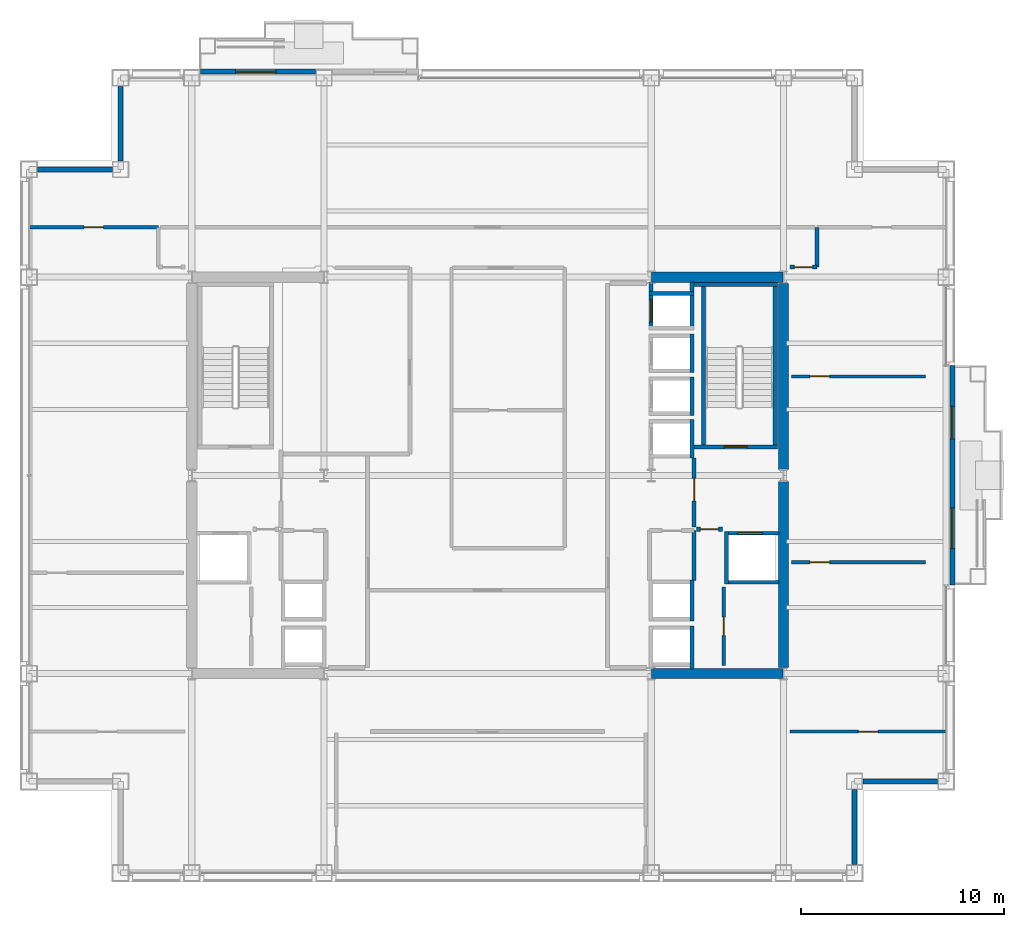
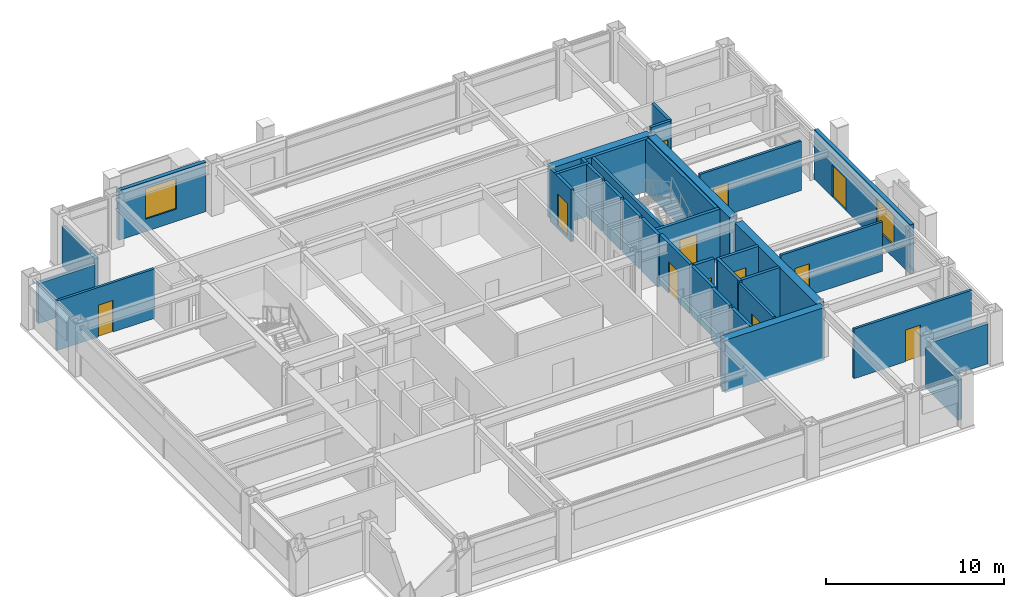
# One storey, part 26 of 29: 35 walls, 12 doors, 2 windows, 14 openings.
"""IFC4 building model written with IfcOpenShell, lengths in metres."""

from ifc_helpers import new_model, si_unit, direction, frame, frame_2d, origin, place, context, subcontext, project, spatial, rectangle, extrude, material, layer, layer_set, type_object, element, fill, save


model = new_model("IFC4")

# Units and contexts
model_context = context("Model", 3, precision=1e-05, world=origin(), true_north=direction((0.0, 1.0)))
body_context = subcontext(model_context, "Body", "Model", "MODEL_VIEW")
ifc_project = project(units=[si_unit("LENGTHUNIT", "METRE"), si_unit("AREAUNIT", "SQUARE_METRE"), si_unit("VOLUMEUNIT", "CUBIC_METRE"), si_unit("PLANEANGLEUNIT", "RADIAN"), si_unit("MASSUNIT", "GRAM", prefix="KILO")], contexts=[model_context])

# Site, building, storey
site_placement = place(None, origin())
site = spatial("IfcSite", under=ifc_project, at=site_placement, CompositionType="ELEMENT")
building_placement = place(site_placement, origin())
building = spatial("IfcBuilding", under=site, at=building_placement, Name="Brelmoor Portico Tower", CompositionType="ELEMENT")
storey_placement = place(building_placement, frame((0.0, 0.0, 124.199951171875)))
storey = spatial("IfcBuildingStorey", under=building, at=storey_placement, Name="L32", CompositionType="ELEMENT", Elevation=124.199951171875)

# Walls
ifc_material_1 = material(Name="Concrete C60", Category="concrete")
ifc_layer_1 = layer(ifc_material_1, 0.5)
ifc_layer_set_1 = layer_set([ifc_layer_1], Name="Concrete C60")
wall_type_1 = type_object("IfcWallType", Name="WL-CORE-500", PredefinedType="SHEAR", material=ifc_layer_set_1)
for number, where, z_axis, x_axis, name in (
    (1, (8.070068359375, -9.75, -0.199951171875), (0.0, 0.0, 1.0), (1.0, 0.0, 0.0), "L32 EC South Shear Wall"),
    (2, (8.070068359375, 9.75, -0.199951171875), (0.0, 0.0, 1.0), (1.0, 0.0, 0.0), "L32 EC North Shear Wall"),
):
    element("IfcWall", number, at=place(storey_placement, frame(where, z_axis=z_axis, x_axis=x_axis)), inside=storey, type_object=wall_type_1, Name=name, PredefinedType="SHEAR", context=body_context, shape_type="SweptSolid", body=[
        extrude(rectangle(XDim=6.4599609375, YDim=0.5, at=frame_2d((3.22998046875, 0.0))), origin(), (0.0, 0.0, 1.0), 3.60009765625),
    ])
for number, where, z_axis, x_axis, name in (
    (3, (14.550048828125, -9.449951171875, -0.199951171875), (0.0, 0.0, 1.0), (0.0, 1.0, 0.0), "L32 EC Outer South Shear Wall"),
    (4, (14.550048828125, 0.300048828125, -0.199951171875), (0.0, 0.0, 1.0), (0.0, 1.0, 0.0), "L32 EC Outer North Shear Wall"),
):
    element("IfcWall", number, at=place(storey_placement, frame(where, z_axis=z_axis, x_axis=x_axis)), inside=storey, type_object=wall_type_1, Name=name, PredefinedType="SHEAR", context=body_context, shape_type="SweptSolid", body=[
        extrude(rectangle(XDim=9.14990234375, YDim=0.5, at=frame_2d((4.574951171875, 0.0))), origin(), (0.0, 0.0, 1.0), 3.60009765625),
    ])

# Wall, opening, window
ifc_material_2 = material(Name="Precast Concrete C40 Insulated Facade Wall", Category="concrete")
ifc_layer_2 = layer(ifc_material_2, 0.25)
ifc_layer_set_2 = layer_set([ifc_layer_2], Name="Precast Concrete C40 Insulated Facade Wall")
wall_type_2 = type_object("IfcWallType", Name="WL-EXT-250", PredefinedType="STANDARD", material=ifc_layer_set_2)
wall_1_placement = place(storey_placement, frame((-14.1298828125, 19.860107421875, 0.0), z_axis=(0.0, 0.0, 1.0), x_axis=(1.0, 0.0, 0.0)))
wall_1 = element("IfcWall", 5, at=wall_1_placement, inside=storey, type_object=wall_type_2, Name="L32 Loggia Threshold Wall N-1", PredefinedType="STANDARD", context=body_context, shape_type="SweptSolid", body=[
    extrude(rectangle(XDim=5.659912109375, YDim=0.25, at=frame_2d((2.830078125, 0.0))), origin(), (0.0, 0.0, 1.0), 3.400146484375),
])
opening_1_placement = place(wall_1_placement, frame((1.72998046875, 0.0, 0.85009765625)))
opening_1 = element("IfcOpeningElement", 6, at=opening_1_placement, cuts=wall_1, Name="Opening W-03", PredefinedType="OPENING", context=body_context, shape_type="SweptSolid", body=[
    extrude(rectangle(XDim=2.0, YDim=2.10009765625, at=frame_2d((1.0, 1.050048828125))), frame((0.0, 0.135009765625, 0.0), z_axis=(0.0, -1.0, 0.0), x_axis=(1.0, 0.0, 0.0)), (0.0, 0.0, 1.0), 0.27001953125),
])
ifc_material_3 = material(Name="Thermally Broken Aluminium Low-E Window", Category="aluminium")
window_type = type_object("IfcWindowType", Name="WN-LOGGIA-2000x2100", PartitioningType="SINGLE_PANEL", PredefinedType="WINDOW", material=ifc_material_3)
window_1_placement = place(opening_1_placement, origin())
window_1 = element("IfcWindow", 7, at=window_1_placement, inside=storey, type_object=window_type, Name="L32 Loggia Window N", OverallHeight=2.10009765625, OverallWidth=2.0, PartitioningType="SINGLE_PANEL", PredefinedType="WINDOW", context=body_context, shape_type="SweptSolid", body=[
    extrude(rectangle(XDim=2.0, YDim=2.10009765625, at=frame_2d((1.0, 1.050048828125))), frame((0.0, 0.030029296875, 0.0), z_axis=(0.0, -1.0, 0.0), x_axis=(1.0, 0.0, 0.0)), (0.0, 0.0, 1.0), 0.06005859375),
])
fill(opening_1, window_1)

# Wall, openings, door, window
wall_2_placement = place(storey_placement, frame((22.860107421875, -5.39990234375, 0.0), z_axis=(0.0, 0.0, 1.0), x_axis=(0.0, 1.0, 0.0)))
wall_2 = element("IfcWall", 8, at=wall_2_placement, inside=storey, type_object=wall_type_2, Name="L32 Loggia Threshold Wall E-1", PredefinedType="STANDARD", context=body_context, shape_type="SweptSolid", body=[
    extrude(rectangle(XDim=10.7998046875, YDim=0.25, at=frame_2d((5.39990234375, 0.0))), origin(), (0.0, 0.0, 1.0), 3.400146484375),
])
opening_2_placement = place(wall_2_placement, frame((7.199951171875, 0.0, 0.0)))
opening_2 = element("IfcOpeningElement", 9, at=opening_2_placement, cuts=wall_2, Name="Opening D-TB1", PredefinedType="OPENING", context=body_context, shape_type="SweptSolid", body=[
    extrude(rectangle(XDim=1.60009765625, YDim=2.199951171875, at=frame_2d((0.800048828125, 1.10009765625))), frame((0.0, 0.135009765625, 0.0), z_axis=(0.0, -1.0, 0.0), x_axis=(1.0, 0.0, 0.0)), (0.0, 0.0, 1.0), 0.27001953125),
])
opening_3_placement = place(wall_2_placement, frame((1.800048828125, 0.0, 0.85009765625)))
opening_3 = element("IfcOpeningElement", 10, at=opening_3_placement, cuts=wall_2, Name="Opening W-03", PredefinedType="OPENING", context=body_context, shape_type="SweptSolid", body=[
    extrude(rectangle(XDim=2.0, YDim=2.10009765625, at=frame_2d((1.0, 1.050048828125))), frame((0.0, 0.135009765625, 0.0), z_axis=(0.0, -1.0, 0.0), x_axis=(1.0, 0.0, 0.0)), (0.0, 0.0, 1.0), 0.27001953125),
])
ifc_material_4 = material(Name="Double-Leaf Thermally Broken Terrace Door", Category="aluminium")
door_type_1 = type_object("IfcDoorType", Name="DR-BALCONY-1600", OperationType="NOTDEFINED", PredefinedType="DOOR", material=ifc_material_4)
door_1_placement = place(opening_2_placement, origin())
door_1 = element("IfcDoor", 11, at=door_1_placement, inside=storey, type_object=door_type_1, Name="D-1420 L32 Tree Balcony Double Door E", OperationType="DOUBLE_DOOR_SINGLE_SWING", OverallHeight=2.199951171875, OverallWidth=1.60009765625, PredefinedType="DOOR", context=body_context, shape_type="SweptSolid", body=[
    extrude(rectangle(XDim=1.60009765625, YDim=2.199951171875, at=frame_2d((0.800048828125, 1.10009765625))), frame((0.0, 0.02490234375, 0.0), z_axis=(0.0, -1.0, 0.0), x_axis=(1.0, 0.0, 0.0)), (0.0, 0.0, 1.0), 0.050048828125),
])
fill(opening_2, door_1)
window_2_placement = place(opening_3_placement, origin())
window_2 = element("IfcWindow", 12, at=window_2_placement, inside=storey, type_object=window_type, Name="L32 Loggia Window E", OverallHeight=2.10009765625, OverallWidth=2.0, PartitioningType="SINGLE_PANEL", PredefinedType="WINDOW", context=body_context, shape_type="SweptSolid", body=[
    extrude(rectangle(XDim=2.0, YDim=2.10009765625, at=frame_2d((1.0, 1.050048828125))), frame((0.0, 0.030029296875, 0.0), z_axis=(0.0, -1.0, 0.0), x_axis=(1.0, 0.0, 0.0)), (0.0, 0.0, 1.0), 0.06005859375),
])
fill(opening_3, window_2)

# Walls
for number, where, z_axis, x_axis, name in (
    (13, (18.4599609375, -15.050048828125, 0.0), (0.0, 0.0, 1.0), (1.0, 0.0, 0.0), "L32 Corner Notch Facade Wall NSEH1"),
    (14, (18.050048828125, -19.139892578125, 0.0), (0.0, 0.0, 1.0), (0.0, 1.0, 0.0), "L32 Corner Notch Facade Wall NSEV1"),
    (15, (-22.139892578125, 15.050048828125, 0.0), (0.0, 0.0, 1.0), (1.0, 0.0, 0.0), "L32 Corner Notch Facade Wall NNWH1"),
    (16, (-18.050048828125, 15.4599609375, 0.0), (0.0, 0.0, 1.0), (0.0, 1.0, 0.0), "L32 Corner Notch Facade Wall NNWV1"),
):
    element("IfcWall", number, at=place(storey_placement, frame(where, z_axis=z_axis, x_axis=x_axis)), inside=storey, type_object=wall_type_2, Name=name, PredefinedType="STANDARD", context=body_context, shape_type="SweptSolid", body=[
        extrude(rectangle(XDim=3.679931640625, YDim=0.25, at=frame_2d((1.83984375, 0.0))), origin(), (0.0, 0.0, 1.0), 2.75),
    ])

# Wall, opening, door
ifc_material_5 = material(Name="Twin-Frame Acoustic Partition", Category="gypsum")
ifc_layer_3 = layer(ifc_material_5, 0.159912109375)
ifc_layer_set_3 = layer_set([ifc_layer_3], Name="Twin-Frame Acoustic Partition")
wall_type_3 = type_object("IfcWallType", Name="WL-PART-160", PredefinedType="PARTITIONING", material=ifc_layer_set_3)
wall_3_placement = place(storey_placement, frame((11.6201171875, -9.35009765625, 0.0), z_axis=(0.0, 0.0, 1.0), x_axis=(0.0, 1.0, 0.0)))
wall_3 = element("IfcWall", 17, at=wall_3_placement, inside=storey, type_object=wall_type_3, Name="L32 E Core Service Front Wall", PredefinedType="PARTITIONING", context=body_context, shape_type="SweptSolid", body=[
    extrude(rectangle(XDim=3.85009765625, YDim=0.159912109375, at=frame_2d((1.925048828125, 0.0))), origin(), (0.0, 0.0, 1.0), 3.400146484375),
])
opening_4_placement = place(wall_3_placement, frame((1.47509765625, 0.0, 0.0)))
opening_4 = element("IfcOpeningElement", 18, at=opening_4_placement, cuts=wall_3, Name="Opening D-IN1", PredefinedType="OPENING", context=body_context, shape_type="SweptSolid", body=[
    extrude(rectangle(XDim=0.89990234375, YDim=2.14990234375, at=frame_2d((0.449951171875, 1.074951171875))), frame((0.0, 0.08984375, 0.0), z_axis=(0.0, -1.0, 0.0), x_axis=(1.0, 0.0, 0.0)), (0.0, 0.0, 1.0), 0.179931640625),
])
ifc_material_6 = material(Name="Lacquered Timber Suite Door", Category="wood")
door_type_2 = type_object("IfcDoorType", Name="DR-INT-900", OperationType="NOTDEFINED", PredefinedType="DOOR", material=ifc_material_6)
door_2_placement = place(opening_4_placement, origin())
door_2 = element("IfcDoor", 19, at=door_2_placement, inside=storey, type_object=door_type_2, Name="D-1399 L32 E Male WC Door", OperationType="SINGLE_SWING_LEFT", OverallHeight=2.14990234375, OverallWidth=0.89990234375, PredefinedType="DOOR", context=body_context, shape_type="SweptSolid", body=[
    extrude(rectangle(XDim=0.89990234375, YDim=2.14990234375, at=frame_2d((0.449951171875, 1.074951171875))), frame((0.0, 0.02490234375, 0.0), z_axis=(0.0, -1.0, 0.0), x_axis=(1.0, 0.0, 0.0)), (0.0, 0.0, 1.0), 0.050048828125),
])
fill(opening_4, door_2)

wall_4_placement = place(storey_placement, frame((-22.56005859375, 12.199951171875, 0.0), z_axis=(0.0, 0.0, 1.0), x_axis=(1.0, 0.0, 0.0)))
wall_4 = element("IfcWall", 20, at=wall_4_placement, inside=storey, type_object=wall_type_3, Name="L32 North Wing Closure WL", PredefinedType="PARTITIONING", context=body_context, shape_type="SweptSolid", body=[
    extrude(rectangle(XDim=6.360107421875, YDim=0.159912109375, at=frame_2d((3.18017578125, 0.0))), origin(), (0.0, 0.0, 1.0), 3.400146484375),
])
opening_5_placement = place(wall_4_placement, frame((2.699951171875, 0.0, 0.0)))
opening_5 = element("IfcOpeningElement", 21, at=opening_5_placement, cuts=wall_4, Name="Opening D-IN2", PredefinedType="OPENING", context=body_context, shape_type="SweptSolid", body=[
    extrude(rectangle(XDim=0.9599609375, YDim=2.179931640625, at=frame_2d((0.47998046875, 1.08984375))), frame((0.0, 0.08984375, 0.0), z_axis=(0.0, -1.0, 0.0), x_axis=(1.0, 0.0, 0.0)), (0.0, 0.0, 1.0), 0.179931640625),
])
door_type_3 = type_object("IfcDoorType", Name="DR-INT-950", OperationType="NOTDEFINED", PredefinedType="DOOR", material=ifc_material_6)
door_3_placement = place(opening_5_placement, origin())
door_3 = element("IfcDoor", 22, at=door_3_placement, inside=storey, type_object=door_type_3, Name="D-1411 L32 WL Wing North Suite Door", OperationType="SINGLE_SWING_RIGHT", OverallHeight=2.179931640625, OverallWidth=0.9599609375, PredefinedType="DOOR", context=body_context, shape_type="SweptSolid", body=[
    extrude(rectangle(XDim=0.9599609375, YDim=2.179931640625, at=frame_2d((0.47998046875, 1.08984375))), frame((0.0, 0.02490234375, 0.0), z_axis=(0.0, -1.0, 0.0), x_axis=(1.0, 0.0, 0.0)), (0.0, 0.0, 1.0), 0.050048828125),
])
fill(opening_5, door_3)

wall_5_placement = place(storey_placement, frame((14.8798828125, -12.60009765625, 0.0), z_axis=(0.0, 0.0, 1.0), x_axis=(1.0, 0.0, 0.0)))
wall_5 = element("IfcWall", 23, at=wall_5_placement, inside=storey, type_object=wall_type_3, Name="L32 South Wing Closure ER", PredefinedType="PARTITIONING", context=body_context, shape_type="SweptSolid", body=[
    extrude(rectangle(XDim=7.68017578125, YDim=0.159912109375, at=frame_2d((3.840087890625, 0.0))), origin(), (0.0, 0.0, 1.0), 3.400146484375),
])
opening_6_placement = place(wall_5_placement, frame((3.360107421875, 0.0, 0.0)))
opening_6 = element("IfcOpeningElement", 24, at=opening_6_placement, cuts=wall_5, Name="Opening D-IN2", PredefinedType="OPENING", context=body_context, shape_type="SweptSolid", body=[
    extrude(rectangle(XDim=0.9599609375, YDim=2.179931640625, at=frame_2d((0.47998046875, 1.08984375))), frame((0.0, 0.08984375, 0.0), z_axis=(0.0, -1.0, 0.0), x_axis=(1.0, 0.0, 0.0)), (0.0, 0.0, 1.0), 0.179931640625),
])
door_4_placement = place(opening_6_placement, origin())
door_4 = element("IfcDoor", 25, at=door_4_placement, inside=storey, type_object=door_type_3, Name="D-1418 L32 ER Wing South Suite Door", OperationType="SINGLE_SWING_RIGHT", OverallHeight=2.179931640625, OverallWidth=0.9599609375, PredefinedType="DOOR", context=body_context, shape_type="SweptSolid", body=[
    extrude(rectangle(XDim=0.9599609375, YDim=2.179931640625, at=frame_2d((0.47998046875, 1.08984375))), frame((0.0, 0.02490234375, 0.0), z_axis=(0.0, -1.0, 0.0), x_axis=(1.0, 0.0, 0.0)), (0.0, 0.0, 1.0), 0.050048828125),
])
fill(opening_6, door_4)

wall_6_placement = place(storey_placement, frame((14.9599609375, -4.27001953125, 0.0), z_axis=(0.0, 0.0, 1.0), x_axis=(1.0, 0.0, 0.0)))
wall_6 = element("IfcWall", 26, at=wall_6_placement, inside=storey, type_object=wall_type_3, Name="L32 E Wing Partition 1", PredefinedType="PARTITIONING", context=body_context, shape_type="SweptSolid", body=[
    extrude(rectangle(XDim=6.590087890625, YDim=0.159912109375, at=frame_2d((3.294921875, 0.0))), origin(), (0.0, 0.0, 1.0), 3.400146484375),
])
opening_7_placement = place(wall_6_placement, frame((0.89990234375, 0.0, 0.0)))
opening_7 = element("IfcOpeningElement", 27, at=opening_7_placement, cuts=wall_6, Name="Opening D-IN2", PredefinedType="OPENING", context=body_context, shape_type="SweptSolid", body=[
    extrude(rectangle(XDim=0.9599609375, YDim=2.179931640625, at=frame_2d((0.47998046875, 1.08984375))), frame((0.0, 0.08984375, 0.0), z_axis=(0.0, -1.0, 0.0), x_axis=(1.0, 0.0, 0.0)), (0.0, 0.0, 1.0), 0.179931640625),
])
door_5_placement = place(opening_7_placement, origin())
door_5 = element("IfcDoor", 28, at=door_5_placement, inside=storey, type_object=door_type_3, Name="D-1422 L32 E Wing Suite Connecting Door 1", OperationType="SINGLE_SWING_RIGHT", OverallHeight=2.179931640625, OverallWidth=0.9599609375, PredefinedType="DOOR", context=body_context, shape_type="SweptSolid", body=[
    extrude(rectangle(XDim=0.9599609375, YDim=2.179931640625, at=frame_2d((0.47998046875, 1.08984375))), frame((0.0, 0.02490234375, 0.0), z_axis=(0.0, -1.0, 0.0), x_axis=(1.0, 0.0, 0.0)), (0.0, 0.0, 1.0), 0.050048828125),
])
fill(opening_7, door_5)

wall_7_placement = place(storey_placement, frame((14.9599609375, 4.8701171875, 0.0), z_axis=(0.0, 0.0, 1.0), x_axis=(1.0, 0.0, 0.0)))
wall_7 = element("IfcWall", 29, at=wall_7_placement, inside=storey, type_object=wall_type_3, Name="L32 E Wing Partition 2", PredefinedType="PARTITIONING", context=body_context, shape_type="SweptSolid", body=[
    extrude(rectangle(XDim=6.590087890625, YDim=0.159912109375, at=frame_2d((3.294921875, 0.0))), origin(), (0.0, 0.0, 1.0), 3.400146484375),
])
opening_8_placement = place(wall_7_placement, frame((0.89990234375, 0.0, 0.0)))
opening_8 = element("IfcOpeningElement", 30, at=opening_8_placement, cuts=wall_7, Name="Opening D-IN2", PredefinedType="OPENING", context=body_context, shape_type="SweptSolid", body=[
    extrude(rectangle(XDim=0.9599609375, YDim=2.179931640625, at=frame_2d((0.47998046875, 1.08984375))), frame((0.0, 0.08984375, 0.0), z_axis=(0.0, -1.0, 0.0), x_axis=(1.0, 0.0, 0.0)), (0.0, 0.0, 1.0), 0.179931640625),
])
door_6_placement = place(opening_8_placement, origin())
door_6 = element("IfcDoor", 31, at=door_6_placement, inside=storey, type_object=door_type_3, Name="D-1423 L32 E Wing Suite Connecting Door 2", OperationType="SINGLE_SWING_LEFT", OverallHeight=2.179931640625, OverallWidth=0.9599609375, PredefinedType="DOOR", context=body_context, shape_type="SweptSolid", body=[
    extrude(rectangle(XDim=0.9599609375, YDim=2.179931640625, at=frame_2d((0.47998046875, 1.08984375))), frame((0.0, 0.02490234375, 0.0), z_axis=(0.0, -1.0, 0.0), x_axis=(1.0, 0.0, 0.0)), (0.0, 0.0, 1.0), 0.050048828125),
])
fill(opening_8, door_6)

ifc_material_7 = material(Name="Acoustic Corridor Fire Partition", Category="gypsum")
ifc_layer_4 = layer(ifc_material_7, 0.179931640625)
ifc_layer_set_4 = layer_set([ifc_layer_4], Name="Acoustic Corridor Fire Partition")
wall_type_4 = type_object("IfcWallType", Name="WL-PART-180", PredefinedType="PARTITIONING", material=ifc_layer_set_4)
wall_8_placement = place(storey_placement, frame((14.8798828125, 10.25, 0.0), z_axis=(0.0, 0.0, 1.0), x_axis=(1.0, 0.0, 0.0)))
wall_8 = element("IfcWall", 32, at=wall_8_placement, inside=storey, type_object=wall_type_4, Name="L32 E Wing North Entry Wall", PredefinedType="PARTITIONING", context=body_context, shape_type="SweptSolid", body=[
    extrude(rectangle(XDim=1.320068359375, YDim=0.179931640625, at=frame_2d((0.66015625, 0.0))), origin(), (0.0, 0.0, 1.0), 3.400146484375),
])
opening_9_placement = place(wall_8_placement, frame((0.2099609375, 0.0, 0.0)))
opening_9 = element("IfcOpeningElement", 33, at=opening_9_placement, cuts=wall_8, Name="Opening D-IN1", PredefinedType="OPENING", context=body_context, shape_type="SweptSolid", body=[
    extrude(rectangle(XDim=0.89990234375, YDim=2.14990234375, at=frame_2d((0.449951171875, 1.074951171875))), frame((0.0, 0.099853515625, 0.0), z_axis=(0.0, -1.0, 0.0), x_axis=(1.0, 0.0, 0.0)), (0.0, 0.0, 1.0), 0.199951171875),
])
door_7_placement = place(opening_9_placement, origin())
door_7 = element("IfcDoor", 34, at=door_7_placement, inside=storey, type_object=door_type_2, Name="D-1424 L32 E Wing Entry Door", OperationType="SINGLE_SWING_LEFT", OverallHeight=2.14990234375, OverallWidth=0.89990234375, PredefinedType="DOOR", context=body_context, shape_type="SweptSolid", body=[
    extrude(rectangle(XDim=0.89990234375, YDim=2.14990234375, at=frame_2d((0.449951171875, 1.074951171875))), frame((0.0, 0.02490234375, 0.0), z_axis=(0.0, -1.0, 0.0), x_axis=(1.0, 0.0, 0.0)), (0.0, 0.0, 1.0), 0.050048828125),
])
fill(opening_9, door_7)

# Wall
wall_9_placement = place(storey_placement, frame((16.199951171875, 10.25, 0.0), z_axis=(0.0, 0.0, 1.0), x_axis=(0.0, 1.0, 0.0)))
element("IfcWall", 35, at=wall_9_placement, inside=storey, type_object=wall_type_4, Name="L32 E Corridor End Closure", PredefinedType="PARTITIONING", context=body_context, shape_type="SweptSolid", body=[
    extrude(rectangle(XDim=1.949951171875, YDim=0.179931640625, at=frame_2d((0.97509765625, 0.0))), origin(), (0.0, 0.0, 1.0), 3.400146484375),
])

# Wall, opening, door
ifc_material_8 = material(Name="Double-Stud Gypsum Fire Partition", Category="gypsum")
ifc_layer_5 = layer(ifc_material_8, 0.199951171875)
ifc_layer_set_5 = layer_set([ifc_layer_5], Name="Double-Stud Gypsum Fire Partition")
wall_type_5 = type_object("IfcWallType", Name="WL-PART-200", PredefinedType="PARTITIONING", material=ifc_layer_set_5)
wall_10_placement = place(storey_placement, frame((10.159912109375, -2.550048828125, 0.0), z_axis=(0.0, 0.0, 1.0), x_axis=(0.0, 1.0, 0.0)))
wall_10 = element("IfcWall", 36, at=wall_10_placement, inside=storey, type_object=wall_type_5, Name="L32 E Firefighting Lobby Wall", PredefinedType="PARTITIONING", context=body_context, shape_type="SweptSolid", body=[
    extrude(rectangle(XDim=3.400146484375, YDim=0.199951171875, at=frame_2d((1.7001953125, 0.0))), origin(), (0.0, 0.0, 1.0), 3.400146484375),
])
opening_10_placement = place(wall_10_placement, frame((1.300048828125, 0.0, 0.0)))
opening_10 = element("IfcOpeningElement", 37, at=opening_10_placement, cuts=wall_10, Name="Opening D-FR1", PredefinedType="OPENING", context=body_context, shape_type="SweptSolid", body=[
    extrude(rectangle(XDim=1.10009765625, YDim=2.14990234375, at=frame_2d((0.550048828125, 1.074951171875))), frame((0.0, 0.10986328125, 0.0), z_axis=(0.0, -1.0, 0.0), x_axis=(1.0, 0.0, 0.0)), (0.0, 0.0, 1.0), 0.219970703125),
])
ifc_material_9 = material(Name="Painted Galvanised Steel Fire Door", Category="steel")
door_type_4 = type_object("IfcDoorType", Name="DR-FIRE-1100", OperationType="NOTDEFINED", PredefinedType="DOOR", material=ifc_material_9)
door_8_placement = place(opening_10_placement, origin())
door_8 = element("IfcDoor", 38, at=door_8_placement, inside=storey, type_object=door_type_4, Name="D-1405 L32 E Firefighting Lobby Door", OperationType="SINGLE_SWING_RIGHT", OverallHeight=2.14990234375, OverallWidth=1.10009765625, PredefinedType="DOOR", context=body_context, shape_type="SweptSolid", body=[
    extrude(rectangle(XDim=1.10009765625, YDim=2.14990234375, at=frame_2d((0.550048828125, 1.074951171875))), frame((0.0, 0.02490234375, 0.0), z_axis=(0.0, -1.0, 0.0), x_axis=(1.0, 0.0, 0.0)), (0.0, 0.0, 1.0), 0.050048828125),
])
fill(opening_10, door_8)

wall_11_placement = place(storey_placement, frame((10.280029296875, -2.64990234375, 0.0), z_axis=(0.0, 0.0, 1.0), x_axis=(1.0, 0.0, 0.0)))
wall_11 = element("IfcWall", 39, at=wall_11_placement, inside=storey, type_object=wall_type_5, Name="L32 E Firefighting Lobby South Wall", PredefinedType="PARTITIONING", context=body_context, shape_type="SweptSolid", body=[
    extrude(rectangle(XDim=1.27001953125, YDim=0.199951171875, at=frame_2d((0.635009765625, 0.0))), origin(), (0.0, 0.0, 1.0), 3.400146484375),
])
opening_11_placement = place(wall_11_placement, frame((0.18505859375, 0.0, 0.0)))
opening_11 = element("IfcOpeningElement", 40, at=opening_11_placement, cuts=wall_11, Name="Opening D-IN1", PredefinedType="OPENING", context=body_context, shape_type="SweptSolid", body=[
    extrude(rectangle(XDim=0.89990234375, YDim=2.14990234375, at=frame_2d((0.449951171875, 1.074951171875))), frame((0.0, 0.10986328125, 0.0), z_axis=(0.0, -1.0, 0.0), x_axis=(1.0, 0.0, 0.0)), (0.0, 0.0, 1.0), 0.219970703125),
])
door_9_placement = place(opening_11_placement, origin())
door_9 = element("IfcDoor", 41, at=door_9_placement, inside=storey, type_object=door_type_2, Name="D-1400 L32 E Core Service Vestibule Door", OperationType="SINGLE_SWING_LEFT", OverallHeight=2.14990234375, OverallWidth=0.89990234375, PredefinedType="DOOR", context=body_context, shape_type="SweptSolid", body=[
    extrude(rectangle(XDim=0.89990234375, YDim=2.14990234375, at=frame_2d((0.449951171875, 1.074951171875))), frame((0.0, 0.02490234375, 0.0), z_axis=(0.0, -1.0, 0.0), x_axis=(1.0, 0.0, 0.0)), (0.0, 0.0, 1.0), 0.050048828125),
])
fill(opening_11, door_9)

# Walls
wall_12_placement = place(storey_placement, frame((10.159912109375, -5.159912109375, 0.0), z_axis=(0.0, 0.0, 1.0), x_axis=(0.0, 1.0, 0.0)))
element("IfcWall", 42, at=wall_12_placement, inside=storey, type_object=wall_type_5, Name="L32 E Electrical Switchgear Closet Outer Wall", PredefinedType="PARTITIONING", context=body_context, shape_type="SweptSolid", body=[
    extrude(rectangle(XDim=2.43994140625, YDim=0.199951171875, at=frame_2d((1.219970703125, 0.0))), origin(), (0.0, 0.0, 1.0), 3.400146484375),
])
ifc_material_10 = material(Name="Precast Concrete C40", Category="concrete")
ifc_layer_6 = layer(ifc_material_10, 0.18994140625)
ifc_layer_set_6 = layer_set([ifc_layer_6], Name="Precast Concrete C40")
wall_type_6 = type_object("IfcWallType", Name="WL-SHAFT-180", PredefinedType="SOLIDWALL", material=ifc_layer_set_6)
wall_13_placement = place(storey_placement, frame((10.054931640625, 0.85009765625, -0.199951171875), z_axis=(0.0, 0.0, 1.0), x_axis=(0.0, 1.0, 0.0)))
element("IfcWall", 43, at=wall_13_placement, inside=storey, type_object=wall_type_6, Name="L32 Lift PM1 Hoistway Back Wall", PredefinedType="SOLIDWALL", context=body_context, shape_type="SweptSolid", body=[
    extrude(rectangle(XDim=1.89990234375, YDim=0.18994140625, at=frame_2d((0.949951171875, 0.0))), origin(), (0.0, 0.0, 1.0), 3.60009765625),
])
wall_14_placement = place(storey_placement, frame((10.054931640625, 2.949951171875, -0.199951171875), z_axis=(0.0, 0.0, 1.0), x_axis=(0.0, 1.0, 0.0)))
element("IfcWall", 44, at=wall_14_placement, inside=storey, type_object=wall_type_6, Name="L32 Lift PM2 Hoistway Back Wall", PredefinedType="SOLIDWALL", context=body_context, shape_type="SweptSolid", body=[
    extrude(rectangle(XDim=1.900146484375, YDim=0.18994140625, at=frame_2d((0.9501953125, 0.0))), origin(), (0.0, 0.0, 1.0), 3.60009765625),
])
wall_15_placement = place(storey_placement, frame((10.054931640625, 5.050048828125, -0.199951171875), z_axis=(0.0, 0.0, 1.0), x_axis=(0.0, 1.0, 0.0)))
element("IfcWall", 45, at=wall_15_placement, inside=storey, type_object=wall_type_6, Name="L32 Lift PM3 Hoistway Back Wall", PredefinedType="SOLIDWALL", context=body_context, shape_type="SweptSolid", body=[
    extrude(rectangle(XDim=1.89990234375, YDim=0.18994140625, at=frame_2d((0.949951171875, 0.0))), origin(), (0.0, 0.0, 1.0), 3.60009765625),
])

# Wall, opening, door
wall_16_placement = place(storey_placement, frame((8.044921875, 7.14990234375, -0.199951171875), z_axis=(0.0, 0.0, 1.0), x_axis=(0.0, 1.0, 0.0)))
wall_16 = element("IfcWall", 46, at=wall_16_placement, inside=storey, type_object=wall_type_6, Name="L32 Lift PM4 Hoistway Front Wall", PredefinedType="SOLIDWALL", context=body_context, shape_type="SweptSolid", body=[
    extrude(rectangle(XDim=2.3701171875, YDim=0.18994140625, at=frame_2d((1.18505859375, 0.0))), origin(), (0.0, 0.0, 1.0), 3.60009765625),
])
opening_12_placement = place(wall_16_placement, frame((0.39990234375, 0.0, 0.199951171875)))
opening_12 = element("IfcOpeningElement", 47, at=opening_12_placement, cuts=wall_16, Name="Opening LD-01", PredefinedType="OPENING", context=body_context, shape_type="SweptSolid", body=[
    extrude(rectangle(XDim=1.10009765625, YDim=2.199951171875, at=frame_2d((0.550048828125, 1.10009765625))), frame((0.0, 0.10498046875, 0.0), z_axis=(0.0, -1.0, 0.0), x_axis=(1.0, 0.0, 0.0)), (0.0, 0.0, 1.0), 0.2099609375),
])
ifc_material_11 = material(Name="Brushed Stainless Steel Sliding Lift Door", Category="steel")
door_type_5 = type_object("IfcDoorType", Name="DR-LIFT-1100", OperationType="NOTDEFINED", PredefinedType="DOOR", material=ifc_material_11)
door_10_placement = place(opening_12_placement, origin())
door_10 = element("IfcDoor", 48, at=door_10_placement, inside=storey, type_object=door_type_5, Name="D-1432 L32 Lift PM4 Sliding Landing Door", OperationType="SLIDING_TO_LEFT", OverallHeight=2.199951171875, OverallWidth=1.10009765625, PredefinedType="DOOR", context=body_context, shape_type="SweptSolid", body=[
    extrude(rectangle(XDim=1.10009765625, YDim=2.199951171875, at=frame_2d((0.550048828125, 1.10009765625))), frame((0.0, 0.02490234375, 0.0), z_axis=(0.0, -1.0, 0.0), x_axis=(1.0, 0.0, 0.0)), (0.0, 0.0, 1.0), 0.050048828125),
])
fill(opening_12, door_10)

# Walls
wall_17_placement = place(storey_placement, frame((10.054931640625, 7.14990234375, -0.199951171875), z_axis=(0.0, 0.0, 1.0), x_axis=(0.0, 1.0, 0.0)))
element("IfcWall", 49, at=wall_17_placement, inside=storey, type_object=wall_type_6, Name="L32 Lift PM4 Hoistway Back Wall", PredefinedType="SOLIDWALL", context=body_context, shape_type="SweptSolid", body=[
    extrude(rectangle(XDim=2.3701171875, YDim=0.18994140625, at=frame_2d((1.18505859375, 0.0))), origin(), (0.0, 0.0, 1.0), 3.60009765625),
])
wall_18_placement = place(storey_placement, frame((7.949951171875, 8.955078125, -0.199951171875), z_axis=(0.0, 0.0, 1.0), x_axis=(1.0, 0.0, 0.0)))
element("IfcWall", 50, at=wall_18_placement, inside=storey, type_object=wall_type_6, Name="L32 Lift PM4 Hoistway North Wall", PredefinedType="SOLIDWALL", context=body_context, shape_type="SweptSolid", body=[
    extrude(rectangle(XDim=2.199951171875, YDim=0.18994140625, at=frame_2d((1.10009765625, 0.0))), origin(), (0.0, 0.0, 1.0), 3.60009765625),
])
wall_19_placement = place(storey_placement, frame((10.054931640625, -9.52001953125, -0.199951171875), z_axis=(0.0, 0.0, 1.0), x_axis=(0.0, 1.0, 0.0)))
element("IfcWall", 51, at=wall_19_placement, inside=storey, type_object=wall_type_6, Name="L32 Lift PH3 Hoistway Back Wall", PredefinedType="SOLIDWALL", context=body_context, shape_type="SweptSolid", body=[
    extrude(rectangle(XDim=2.1201171875, YDim=0.18994140625, at=frame_2d((1.06005859375, 0.0))), origin(), (0.0, 0.0, 1.0), 3.60009765625),
])
wall_20_placement = place(storey_placement, frame((10.054931640625, -7.14990234375, -0.199951171875), z_axis=(0.0, 0.0, 1.0), x_axis=(0.0, 1.0, 0.0)))
element("IfcWall", 52, at=wall_20_placement, inside=storey, type_object=wall_type_6, Name="L32 Lift PH4 Hoistway Back Wall", PredefinedType="SOLIDWALL", context=body_context, shape_type="SweptSolid", body=[
    extrude(rectangle(XDim=2.0, YDim=0.18994140625, at=frame_2d((1.0, 0.0))), origin(), (0.0, 0.0, 1.0), 3.60009765625),
])

# Wall, opening, door
wall_21_placement = place(storey_placement, frame((11.64990234375, -2.844970703125, -0.199951171875), z_axis=(0.0, 0.0, 1.0), x_axis=(1.0, 0.0, 0.0)))
wall_21 = element("IfcWall", 53, at=wall_21_placement, inside=storey, type_object=wall_type_6, Name="L32 Lift FF2 Hoistway Front Wall", PredefinedType="SOLIDWALL", context=body_context, shape_type="SweptSolid", body=[
    extrude(rectangle(XDim=2.68017578125, YDim=0.18994140625, at=frame_2d((1.340087890625, 0.0))), origin(), (0.0, 0.0, 1.0), 3.60009765625),
])
opening_13_placement = place(wall_21_placement, frame((0.64990234375, 0.0, 0.199951171875)))
opening_13 = element("IfcOpeningElement", 54, at=opening_13_placement, cuts=wall_21, Name="Opening LD-02", PredefinedType="OPENING", context=body_context, shape_type="SweptSolid", body=[
    extrude(rectangle(XDim=1.199951171875, YDim=2.199951171875, at=frame_2d((0.60009765625, 1.10009765625))), frame((0.0, 0.10498046875, 0.0), z_axis=(0.0, -1.0, 0.0), x_axis=(1.0, 0.0, 0.0)), (0.0, 0.0, 1.0), 0.2099609375),
])
ifc_material_12 = material(Name="Brushed Stainless Steel Firefighting Lift Door", Category="steel")
door_type_6 = type_object("IfcDoorType", Name="DR-LIFT-1200", OperationType="NOTDEFINED", PredefinedType="DOOR", material=ifc_material_12)
door_11_placement = place(opening_13_placement, origin())
door_11 = element("IfcDoor", 55, at=door_11_placement, inside=storey, type_object=door_type_6, Name="D-1428 L32 Lift FF2 Sliding Landing Door", OperationType="SLIDING_TO_LEFT", OverallHeight=2.199951171875, OverallWidth=1.199951171875, PredefinedType="DOOR", context=body_context, shape_type="SweptSolid", body=[
    extrude(rectangle(XDim=1.199951171875, YDim=2.199951171875, at=frame_2d((0.60009765625, 1.10009765625))), frame((0.0, 0.02490234375, 0.0), z_axis=(0.0, -1.0, 0.0), x_axis=(1.0, 0.0, 0.0)), (0.0, 0.0, 1.0), 0.050048828125),
])
fill(opening_13, door_11)

# Walls
wall_22_placement = place(storey_placement, frame((11.64990234375, -5.2548828125, -0.199951171875), z_axis=(0.0, 0.0, 1.0), x_axis=(1.0, 0.0, 0.0)))
element("IfcWall", 56, at=wall_22_placement, inside=storey, type_object=wall_type_6, Name="L32 Firefighting Lift FF2 South Wall", PredefinedType="SOLIDWALL", context=body_context, shape_type="SweptSolid", body=[
    extrude(rectangle(XDim=2.68017578125, YDim=0.18994140625, at=frame_2d((1.340087890625, 0.0))), origin(), (0.0, 0.0, 1.0), 3.60009765625),
])
wall_23_placement = place(storey_placement, frame((11.7451171875, -5.35009765625, -0.199951171875), z_axis=(0.0, 0.0, 1.0), x_axis=(0.0, 1.0, 0.0)))
element("IfcWall", 57, at=wall_23_placement, inside=storey, type_object=wall_type_6, Name="L32 Firefighting Lift FF2 Inner Wall", PredefinedType="SOLIDWALL", context=body_context, shape_type="SweptSolid", body=[
    extrude(rectangle(XDim=2.60009765625, YDim=0.18994140625, at=frame_2d((1.300048828125, 0.0))), origin(), (0.0, 0.0, 1.0), 3.60009765625),
])
ifc_material_13 = material(Name="Concrete C40", Category="concrete")
ifc_layer_7 = layer(ifc_material_13, 0.199951171875)
ifc_layer_set_7 = layer_set([ifc_layer_7], Name="Concrete C40")
wall_type_7 = type_object("IfcWallType", Name="WL-SHAFT-RC200", PredefinedType="SOLIDWALL", material=ifc_layer_set_7)
wall_24_placement = place(storey_placement, frame((14.14990234375, 1.5, -0.199951171875), z_axis=(0.0, 0.0, 1.0), x_axis=(0.0, 1.0, 0.0)))
element("IfcWall", 58, at=wall_24_placement, inside=storey, type_object=wall_type_7, Name="L32 ST-E Structural Stair Wall Outer", PredefinedType="SOLIDWALL", context=body_context, shape_type="SweptSolid", body=[
    extrude(rectangle(XDim=7.800048828125, YDim=0.199951171875, at=frame_2d((3.89990234375, 0.0))), origin(), (0.0, 0.0, 1.0), 3.60009765625),
])

# Wall, opening, door
wall_25_placement = place(storey_placement, frame((10.14990234375, 1.39990234375, -0.199951171875), z_axis=(0.0, 0.0, 1.0), x_axis=(1.0, 0.0, 0.0)))
wall_25 = element("IfcWall", 59, at=wall_25_placement, inside=storey, type_object=wall_type_7, Name="L32 ST-E Structural Stair Wall S", PredefinedType="SOLIDWALL", context=body_context, shape_type="SweptSolid", body=[
    extrude(rectangle(XDim=4.10009765625, YDim=0.199951171875, at=frame_2d((2.050048828125, 0.0))), origin(), (0.0, 0.0, 1.0), 3.60009765625),
])
opening_14_placement = place(wall_25_placement, frame((1.5, 0.0, 0.199951171875)))
opening_14 = element("IfcOpeningElement", 60, at=opening_14_placement, cuts=wall_25, Name="Opening D-ST1", PredefinedType="OPENING", context=body_context, shape_type="SweptSolid", body=[
    extrude(rectangle(XDim=1.1201171875, YDim=2.179931640625, at=frame_2d((0.56005859375, 1.08984375))), frame((0.0, 0.10986328125, 0.0), z_axis=(0.0, -1.0, 0.0), x_axis=(1.0, 0.0, 0.0)), (0.0, 0.0, 1.0), 0.219970703125),
])
door_type_7 = type_object("IfcDoorType", Name="DR-STAIR-1100", OperationType="NOTDEFINED", PredefinedType="DOOR", material=ifc_material_9)
door_12_placement = place(opening_14_placement, origin())
door_12 = element("IfcDoor", 61, at=door_12_placement, inside=storey, type_object=door_type_7, Name="D-1416 L32 ST-E Protected Exit Stair Door", OperationType="SINGLE_SWING_RIGHT", OverallHeight=2.179931640625, OverallWidth=1.1201171875, PredefinedType="DOOR", context=body_context, shape_type="SweptSolid", body=[
    extrude(rectangle(XDim=1.1201171875, YDim=2.179931640625, at=frame_2d((0.56005859375, 1.08984375))), frame((0.0, 0.02490234375, 0.0), z_axis=(0.0, -1.0, 0.0), x_axis=(1.0, 0.0, 0.0)), (0.0, 0.0, 1.0), 0.050048828125),
])
fill(opening_14, door_12)

# Walls
wall_26_placement = place(storey_placement, frame((10.14990234375, 9.39990234375, -0.199951171875), z_axis=(0.0, 0.0, 1.0), x_axis=(1.0, 0.0, 0.0)))
element("IfcWall", 62, at=wall_26_placement, inside=storey, type_object=wall_type_7, Name="L32 ST-E Structural Stair Wall N", PredefinedType="SOLIDWALL", context=body_context, shape_type="SweptSolid", body=[
    extrude(rectangle(XDim=4.10009765625, YDim=0.199951171875, at=frame_2d((2.050048828125, 0.0))), origin(), (0.0, 0.0, 1.0), 3.60009765625),
])
wall_27_placement = place(storey_placement, frame((10.6298828125, 1.5, -0.199951171875), z_axis=(0.0, 0.0, 1.0), x_axis=(0.0, 1.0, 0.0)))
element("IfcWall", 63, at=wall_27_placement, inside=storey, type_object=wall_type_7, Name="L32 ST-E Structural Stair Wall Inner", PredefinedType="SOLIDWALL", context=body_context, shape_type="SweptSolid", body=[
    extrude(rectangle(XDim=7.800048828125, YDim=0.199951171875, at=frame_2d((3.89990234375, 0.0))), origin(), (0.0, 0.0, 1.0), 3.60009765625),
])

save(model, "model.ifc")
